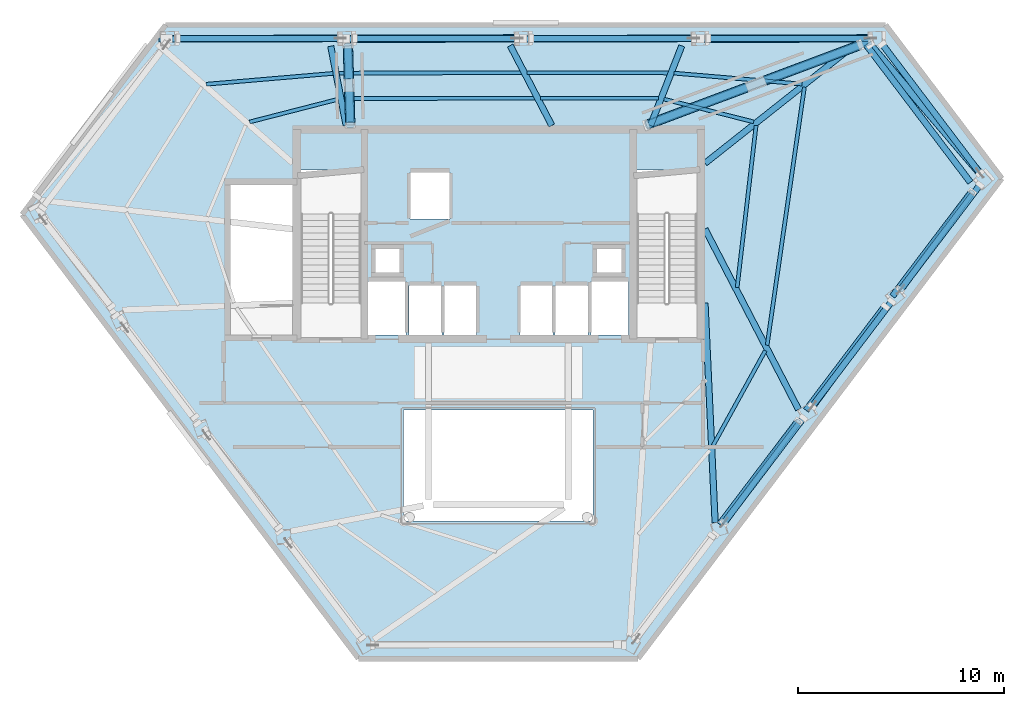
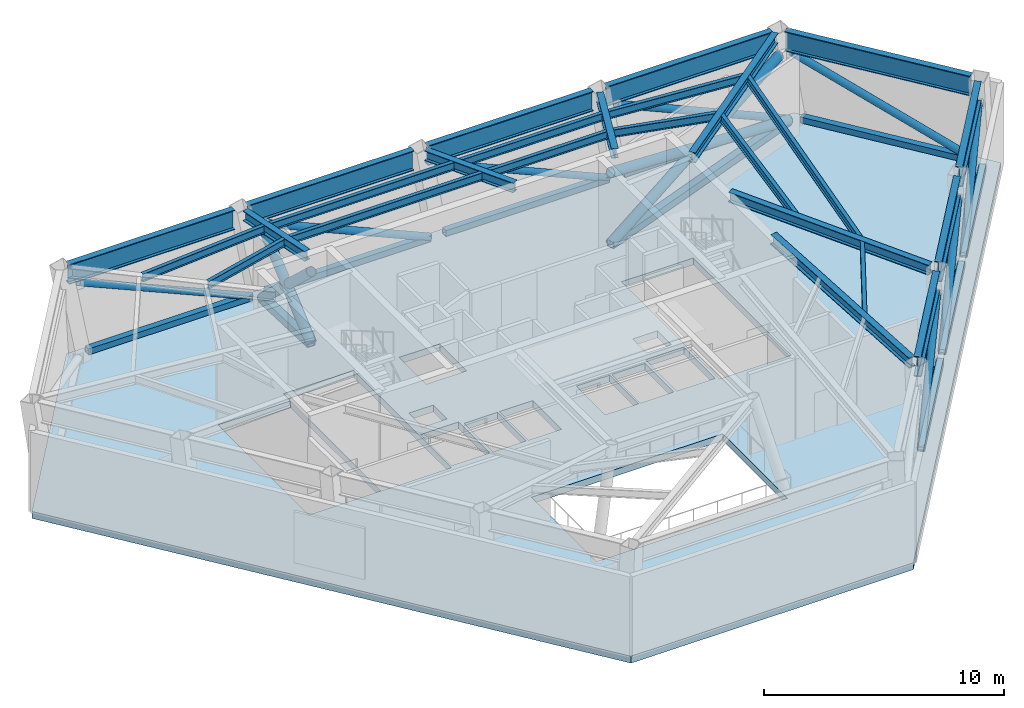
# One storey, part 2 of 10: 25 beams, 24 members, 1 slab.
"""IFC4 building model written with IfcOpenShell, lengths in metres."""

from ifc_helpers import new_model, si_unit, direction, frame, origin, origin_2d, place, context, subcontext, project, spatial, polyline, hollow_rectangle, hollow_circle, i_section, outline, extrude, material, layer, layer_set, material_profile, profile_set, type_object, element, save


model = new_model("IFC4")

# Units and contexts
model_context = context("Model", 3, precision=1e-05, world=origin(), true_north=direction((0.0, 1.0)))
body_context = subcontext(model_context, "Body", "Model", "MODEL_VIEW")
ifc_project = project(units=[si_unit("LENGTHUNIT", "METRE"), si_unit("AREAUNIT", "SQUARE_METRE"), si_unit("VOLUMEUNIT", "CUBIC_METRE"), si_unit("PLANEANGLEUNIT", "RADIAN"), si_unit("MASSUNIT", "GRAM", prefix="KILO")], contexts=[model_context])

# Site, building, storey
site_placement = place(None, origin())
site = spatial("IfcSite", under=ifc_project, at=site_placement, CompositionType="ELEMENT")
building_placement = place(site_placement, origin())
building = spatial("IfcBuilding", under=site, at=building_placement, Name="Zarrinselat Tower", CompositionType="ELEMENT")
storey_placement = place(building_placement, frame((0.0, 0.0, 194.47998046875)))
storey = spatial("IfcBuildingStorey", under=building, at=storey_placement, Name="L48", CompositionType="ELEMENT", Elevation=194.47998046875)

# Beams
ifc_material_1 = material(Name="Steel S355J2", Category="steel")
ifc_material_profile_1 = material_profile(ifc_material_1, i_section(OverallWidth=0.300048828125, OverallDepth=0.5, WebThickness=0.014404296875, FlangeThickness=0.028076171875, at=origin_2d()), Name="HEB 500")
ifc_profile_set_1 = profile_set([ifc_material_profile_1], Name="Steel S355J2")
beam_type_1 = type_object("IfcBeamType", Name="BM-HEB500", PredefinedType="BEAM", material=ifc_profile_set_1)
beam_1_placement = place(storey_placement, frame((48.449951171875, 41.800048828125, 4.89013671875), z_axis=(0.784106524743, 0.620626262621, 0.0), x_axis=(-0.620626262621, 0.784106524743, 0.0)))
element("IfcBeam", 1, at=beam_1_placement, inside=storey, type_object=beam_type_1, Name="L48 Radial Primary Girder RG01", PredefinedType="BEAM", context=body_context, shape_type="SweptSolid", body=[
    extrude(i_section(OverallWidth=0.300048828125, OverallDepth=0.5, WebThickness=0.014404296875, FlangeThickness=0.028076171875, at=origin_2d()), origin(), (0.0, 0.0, 1.0), 9.37841796875),
])
beam_2_placement = place(storey_placement, frame((45.800048828125, 43.639892578125, 4.89013671875), z_axis=(0.365319969666, 0.93088201173, 0.0), x_axis=(-0.93088201173, 0.365319969666, 0.0)))
element("IfcBeam", 2, at=beam_2_placement, inside=storey, type_object=beam_type_1, Name="L48 Radial Primary Girder RG02", PredefinedType="BEAM", context=body_context, shape_type="SweptSolid", body=[
    extrude(i_section(OverallWidth=0.300048828125, OverallDepth=0.5, WebThickness=0.014404296875, FlangeThickness=0.028076171875, at=origin_2d()), origin(), (0.0, 0.0, 1.0), 4.15869140625),
])
beam_3_placement = place(storey_placement, frame((38.978515625, 47.526611328125, 4.89013671875), z_axis=(0.461422920848, -0.887180301921, 0.0), x_axis=(0.887180301921, 0.461422920848, 0.0)))
element("IfcBeam", 3, at=beam_3_placement, inside=storey, type_object=beam_type_1, Name="L48 Radial Primary Girder RG03", PredefinedType="BEAM", context=body_context, shape_type="SweptSolid", body=[
    extrude(i_section(OverallWidth=0.300048828125, OverallDepth=0.5, WebThickness=0.014404296875, FlangeThickness=0.028076171875, at=origin_2d()), origin(), (0.0, 0.0, 1.0), 4.380859375),
])
beam_4_placement = place(storey_placement, frame((30.251708984375, 47.493408203125, 4.89013671875), z_axis=(0.190623283332, -0.981663263982, 0.0), x_axis=(0.981663263982, 0.190623283332, 0.0)))
element("IfcBeam", 4, at=beam_4_placement, inside=storey, type_object=beam_type_1, Name="L48 Radial Primary Girder RG04", PredefinedType="BEAM", context=body_context, shape_type="SweptSolid", body=[
    extrude(i_section(OverallWidth=0.300048828125, OverallDepth=0.5, WebThickness=0.014404296875, FlangeThickness=0.028076171875, at=origin_2d()), origin(), (0.0, 0.0, 1.0), 3.925537109375),
])
beam_5_placement = place(storey_placement, frame((48.449951171875, 35.0, 4.89013671875), z_axis=(0.045995323581, -0.998941655057, 0.0), x_axis=(0.998941655057, 0.045995323581, 0.0)))
element("IfcBeam", 5, at=beam_5_placement, inside=storey, type_object=beam_type_1, Name="L48 Radial Primary Girder RG12", PredefinedType="BEAM", context=body_context, shape_type="SweptSolid", body=[
    extrude(i_section(OverallWidth=0.300048828125, OverallDepth=0.5, WebThickness=0.014404296875, FlangeThickness=0.028076171875, at=origin_2d()), origin(), (0.0, 0.0, 1.0), 10.684814453125),
])
beam_6_placement = place(storey_placement, frame((48.449951171875, 38.60009765625, 4.89013671875), z_axis=(0.460256556545, -0.887785955148, 0.0), x_axis=(0.887785955148, 0.460256556545, 0.0)))
element("IfcBeam", 6, at=beam_6_placement, inside=storey, type_object=beam_type_1, Name="L48 Radial Primary Girder RG13", PredefinedType="BEAM", context=body_context, shape_type="SweptSolid", body=[
    extrude(i_section(OverallWidth=0.300048828125, OverallDepth=0.5, WebThickness=0.014404296875, FlangeThickness=0.028076171875, at=origin_2d()), origin(), (0.0, 0.0, 1.0), 9.876953125),
])
ifc_material_2 = material(Name="Steel S460M", Category="steel")
ifc_material_profile_2 = material_profile(ifc_material_2, i_section(OverallWidth=0.302001953125, OverallDepth=1.008056640625, WebThickness=0.02099609375, FlangeThickness=0.0400390625, at=origin_2d()), Name="HEM 1000")
ifc_profile_set_2 = profile_set([ifc_material_profile_2], Name="Steel S460M")
beam_type_2 = type_object("IfcBeamType", Name="BM-HEM1000", PredefinedType="BEAM", material=ifc_profile_set_2)
beam_7_placement = place(storey_placement, frame((47.785888671875, 47.839111328125, 4.635986328125), z_axis=(1.0, 0.0, 0.0), x_axis=(0.0, 1.0, 0.0)))
element("IfcBeam", 7, at=beam_7_placement, inside=storey, type_object=beam_type_2, Name="L48 Perimeter Spandrel Girder SP01", PredefinedType="BEAM", context=body_context, shape_type="SweptSolid", body=[
    extrude(i_section(OverallWidth=0.302001953125, OverallDepth=1.008056640625, WebThickness=0.02099609375, FlangeThickness=0.0400390625, at=origin_2d()), origin(), (0.0, 0.0, 1.0), 7.955810546875),
])
for number, where, z_axis, x_axis, name in (
    (8, (39.154296875, 47.839111328125, 4.635986328125), (1.0, 0.0, 0.0), (0.0, 1.0, 0.0), "L48 Perimeter Spandrel Girder SP02"),
    (9, (30.522705078125, 47.839111328125, 4.635986328125), (1.0, 0.0, 0.0), (0.0, 1.0, 0.0), "L48 Perimeter Spandrel Girder SP03"),
):
    element("IfcBeam", number, at=place(storey_placement, frame(where, z_axis=z_axis, x_axis=x_axis)), inside=storey, type_object=beam_type_2, Name=name, PredefinedType="BEAM", context=body_context, shape_type="SweptSolid", body=[
        extrude(i_section(OverallWidth=0.302001953125, OverallDepth=1.008056640625, WebThickness=0.02099609375, FlangeThickness=0.0400390625, at=origin_2d()), origin(), (0.0, 0.0, 1.0), 7.95556640625),
    ])
beam_8_placement = place(storey_placement, frame((21.890869140625, 47.839111328125, 4.635986328125), z_axis=(1.0, 0.0, 0.0), x_axis=(0.0, 1.0, 0.0)))
element("IfcBeam", 10, at=beam_8_placement, inside=storey, type_object=beam_type_2, Name="L48 Perimeter Spandrel Girder SP04", PredefinedType="BEAM", context=body_context, shape_type="SweptSolid", body=[
    extrude(i_section(OverallWidth=0.302001953125, OverallDepth=1.008056640625, WebThickness=0.02099609375, FlangeThickness=0.0400390625, at=origin_2d()), origin(), (0.0, 0.0, 1.0), 7.955810546875),
])
beam_9_placement = place(storey_placement, frame((49.161865234375, 24.244384765625, 4.635986328125), z_axis=(0.603856190838, 0.797093282362, 0.0), x_axis=(-0.797093282362, 0.603856190838, 0.0)))
element("IfcBeam", 11, at=beam_9_placement, inside=storey, type_object=beam_type_2, Name="L48 Perimeter Spandrel Girder SP12", PredefinedType="BEAM", context=body_context, shape_type="SweptSolid", body=[
    extrude(i_section(OverallWidth=0.302001953125, OverallDepth=1.008056640625, WebThickness=0.02099609375, FlangeThickness=0.0400390625, at=origin_2d()), origin(), (0.0, 0.0, 1.0), 6.279296875),
])
for number, where, z_axis, x_axis, name in (
    (12, (53.36181640625, 29.788330078125, 4.635986328125), (0.603862179211, 0.797088745698, 0.0), (-0.797088745698, 0.603862179211, 0.0), "L48 Perimeter Spandrel Girder SP13"),
    (13, (57.56201171875, 35.33251953125, 4.635986328125), (0.603862179211, 0.797088745698, 0.0), (-0.797088745698, 0.603862179211, 0.0), "L48 Perimeter Spandrel Girder SP14"),
):
    element("IfcBeam", number, at=place(storey_placement, frame(where, z_axis=z_axis, x_axis=x_axis)), inside=storey, type_object=beam_type_2, Name=name, PredefinedType="BEAM", context=body_context, shape_type="SweptSolid", body=[
        extrude(i_section(OverallWidth=0.302001953125, OverallDepth=1.008056640625, WebThickness=0.02099609375, FlangeThickness=0.0400390625, at=origin_2d()), origin(), (0.0, 0.0, 1.0), 6.279541015625),
    ])
beam_10_placement = place(storey_placement, frame((56.28369140625, 47.569580078125, 4.635986328125), z_axis=(0.60385432913, -0.797094692738, 0.0), x_axis=(0.797094692738, 0.60385432913, 0.0)))
element("IfcBeam", 14, at=beam_10_placement, inside=storey, type_object=beam_type_2, Name="L48 Perimeter Spandrel Girder SP15", PredefinedType="BEAM", context=body_context, shape_type="SweptSolid", body=[
    extrude(i_section(OverallWidth=0.302001953125, OverallDepth=1.008056640625, WebThickness=0.02099609375, FlangeThickness=0.0400390625, at=origin_2d()), origin(), (0.0, 0.0, 1.0), 8.396484375),
])
ifc_material_3 = material(Name="Steel S355J2", Category="steel")
ifc_material_profile_3 = material_profile(ifc_material_3, i_section(OverallWidth=0.179931640625, OverallDepth=0.39990234375, WebThickness=0.008544921875, FlangeThickness=0.013427734375, at=origin_2d()), Name="IPE 400")
ifc_profile_set_3 = profile_set([ifc_material_profile_3], Name="Steel S355J2")
beam_type_3 = type_object("IfcBeamType", Name="BM-IPE400", PredefinedType="JOIST", material=ifc_profile_set_3)
beam_11_placement = place(storey_placement, frame((48.841796875, 28.078125, 4.93994140625), z_axis=(0.48255757414, 0.875864251834, 0.0), x_axis=(-0.875864251834, 0.48255757414, 0.0)))
element("IfcBeam", 15, at=beam_11_placement, inside=storey, type_object=beam_type_3, Name="L48 Composite Floor Joist 4-1", PredefinedType="JOIST", context=body_context, shape_type="SweptSolid", body=[
    extrude(i_section(OverallWidth=0.179931640625, OverallDepth=0.39990234375, WebThickness=0.008544921875, FlangeThickness=0.013427734375, at=origin_2d()), origin(), (0.0, 0.0, 1.0), 5.265625),
])
beam_12_placement = place(storey_placement, frame((51.47021484375, 32.951416015625, 4.93994140625), z_axis=(0.14297899183, 0.98972572357, 0.0), x_axis=(-0.98972572357, 0.14297899183, 0.0)))
element("IfcBeam", 16, at=beam_12_placement, inside=storey, type_object=beam_type_3, Name="L48 Composite Floor Joist 5-1", PredefinedType="JOIST", context=body_context, shape_type="SweptSolid", body=[
    extrude(i_section(OverallWidth=0.179931640625, OverallDepth=0.39990234375, WebThickness=0.008544921875, FlangeThickness=0.013427734375, at=origin_2d()), origin(), (0.0, 0.0, 1.0), 12.681884765625),
])
beam_13_placement = place(storey_placement, frame((50.01171875, 35.7578125, 4.93994140625), z_axis=(0.116227200922, 0.993222652664, 0.0), x_axis=(-0.993222652664, 0.116227200922, 0.0)))
element("IfcBeam", 17, at=beam_13_placement, inside=storey, type_object=beam_type_3, Name="L48 Composite Floor Joist 5-2", PredefinedType="JOIST", context=body_context, shape_type="SweptSolid", body=[
    extrude(i_section(OverallWidth=0.179931640625, OverallDepth=0.39990234375, WebThickness=0.008544921875, FlangeThickness=0.013427734375, at=origin_2d()), origin(), (0.0, 0.0, 1.0), 7.935791015625),
])
beam_14_placement = place(storey_placement, frame((46.942138671875, 46.18310546875, 4.93994140625), z_axis=(0.996394210548, -0.084844429324, 0.0), x_axis=(0.084844429324, 0.996394210548, 0.0)))
element("IfcBeam", 18, at=beam_14_placement, inside=storey, type_object=beam_type_3, Name="L48 Composite Floor Joist 6-1", PredefinedType="JOIST", context=body_context, shape_type="SweptSolid", body=[
    extrude(i_section(OverallWidth=0.179931640625, OverallDepth=0.39990234375, WebThickness=0.008544921875, FlangeThickness=0.013427734375, at=origin_2d()), origin(), (0.0, 0.0, 1.0), 6.244140625),
])
beam_15_placement = place(storey_placement, frame((46.452392578125, 44.921875, 4.93994140625), z_axis=(0.969200358805, -0.246273556219, 0.0), x_axis=(0.246273556219, 0.969200358805, 0.0)))
element("IfcBeam", 19, at=beam_15_placement, inside=storey, type_object=beam_type_3, Name="L48 Composite Floor Joist 6-2", PredefinedType="JOIST", context=body_context, shape_type="SweptSolid", body=[
    extrude(i_section(OverallWidth=0.179931640625, OverallDepth=0.39990234375, WebThickness=0.008544921875, FlangeThickness=0.013427734375, at=origin_2d()), origin(), (0.0, 0.0, 1.0), 4.500732421875),
])
beam_16_placement = place(storey_placement, frame((39.805908203125, 46.205078125, 4.93994140625), z_axis=(0.999998985761, -0.001424246375, 0.0), x_axis=(0.001424246375, 0.999998985761, 0.0)))
element("IfcBeam", 20, at=beam_16_placement, inside=storey, type_object=beam_type_3, Name="L48 Composite Floor Joist 7-1", PredefinedType="JOIST", context=body_context, shape_type="SweptSolid", body=[
    extrude(i_section(OverallWidth=0.179931640625, OverallDepth=0.39990234375, WebThickness=0.008544921875, FlangeThickness=0.013427734375, at=origin_2d()), origin(), (0.0, 0.0, 1.0), 6.856689453125),
])
beam_17_placement = place(storey_placement, frame((40.45263671875, 44.96142578125, 4.93994140625), z_axis=(0.999999598849, -0.000895713012, 0.0), x_axis=(0.000895713012, 0.999999598849, 0.0)))
element("IfcBeam", 21, at=beam_17_placement, inside=storey, type_object=beam_type_3, Name="L48 Composite Floor Joist 7-2", PredefinedType="JOIST", context=body_context, shape_type="SweptSolid", body=[
    extrude(i_section(OverallWidth=0.179931640625, OverallDepth=0.39990234375, WebThickness=0.008544921875, FlangeThickness=0.013427734375, at=origin_2d()), origin(), (0.0, 0.0, 1.0), 5.723876953125),
])
beam_18_placement = place(storey_placement, frame((30.64599609375, 46.18359375, 4.93994140625), z_axis=(0.9999971393, 0.002391943009, 0.0), x_axis=(-0.002391943009, 0.9999971393, 0.0)))
element("IfcBeam", 22, at=beam_18_placement, inside=storey, type_object=beam_type_3, Name="L48 Composite Floor Joist 8-1", PredefinedType="JOIST", context=body_context, shape_type="SweptSolid", body=[
    extrude(i_section(OverallWidth=0.179931640625, OverallDepth=0.39990234375, WebThickness=0.008544921875, FlangeThickness=0.013427734375, at=origin_2d()), origin(), (0.0, 0.0, 1.0), 8.8798828125),
])
beam_19_placement = place(storey_placement, frame((30.885498046875, 44.950439453125, 4.93994140625), z_axis=(0.99999933105, 0.001156676408, 0.0), x_axis=(-0.001156676408, 0.99999933105, 0.0)))
element("IfcBeam", 23, at=beam_19_placement, inside=storey, type_object=beam_type_3, Name="L48 Composite Floor Joist 8-2", PredefinedType="JOIST", context=body_context, shape_type="SweptSolid", body=[
    extrude(i_section(OverallWidth=0.179931640625, OverallDepth=0.39990234375, WebThickness=0.008544921875, FlangeThickness=0.013427734375, at=origin_2d()), origin(), (0.0, 0.0, 1.0), 9.287109375),
])
beam_20_placement = place(storey_placement, frame((24.1982421875, 45.64404296875, 4.93994140625), z_axis=(0.996365606934, 0.085179676679, 0.0), x_axis=(-0.085179676679, 0.996365606934, 0.0)))
element("IfcBeam", 24, at=beam_20_placement, inside=storey, type_object=beam_type_3, Name="L48 Composite Floor Joist 9-1", PredefinedType="JOIST", context=body_context, shape_type="SweptSolid", body=[
    extrude(i_section(OverallWidth=0.179931640625, OverallDepth=0.39990234375, WebThickness=0.008544921875, FlangeThickness=0.013427734375, at=origin_2d()), origin(), (0.0, 0.0, 1.0), 6.19091796875),
])
beam_21_placement = place(storey_placement, frame((26.303955078125, 43.80908203125, 4.93994140625), z_axis=(0.96855231684, 0.248809986824, 0.0), x_axis=(-0.248809986824, 0.96855231684, 0.0)))
element("IfcBeam", 25, at=beam_21_placement, inside=storey, type_object=beam_type_3, Name="L48 Composite Floor Joist 9-2", PredefinedType="JOIST", context=body_context, shape_type="SweptSolid", body=[
    extrude(i_section(OverallWidth=0.179931640625, OverallDepth=0.39990234375, WebThickness=0.008544921875, FlangeThickness=0.013427734375, at=origin_2d()), origin(), (0.0, 0.0, 1.0), 4.446044921875),
])

# Members
ifc_material_4 = material(Name="Steel S355J2", Category="steel")
ifc_material_profile_4 = material_profile(ifc_material_4, hollow_circle(Radius=0.177734375, WallThickness=0.01416015625, at=origin_2d()), Name="CHS 355.6x14.2")
ifc_profile_set_4 = profile_set([ifc_material_profile_4], Name="Steel S355J2")
member_type_1 = type_object("IfcMemberType", Name="MEM-BELT-BR1", PredefinedType="BRACE", material=ifc_profile_set_4)
member_1_placement = place(storey_placement, frame((56.489501953125, 47.875244140625, 0.35009765625), z_axis=(-0.914612485529, -0.003044087795, 0.404320089588), x_axis=(0.003328263043, -0.999994461317, 0.0)))
element("IfcMember", 26, at=member_1_placement, inside=storey, type_object=member_type_1, Name="L48 Perimeter Belt Truss Diagonal 1", PredefinedType="BRACE", context=body_context, shape_type="SweptSolid", body=[
    extrude(hollow_circle(Radius=0.177734375, WallThickness=0.01416015625, at=origin_2d()), origin(), (0.0, 0.0, 1.0), 8.982666015625),
])
member_2_placement = place(storey_placement, frame((39.304931640625, 47.875244140625, 0.35009765625), z_axis=(-0.9156868838, -0.003025724472, 0.401881046863), x_axis=(0.003304304132, -0.999994540772, 0.0)))
element("IfcMember", 27, at=member_2_placement, inside=storey, type_object=member_type_1, Name="L48 Perimeter Belt Truss Diagonal 3", PredefinedType="BRACE", context=body_context, shape_type="SweptSolid", body=[
    extrude(hollow_circle(Radius=0.177734375, WallThickness=0.01416015625, at=origin_2d()), origin(), (0.0, 0.0, 1.0), 9.037109375),
])
member_3_placement = place(storey_placement, frame((53.66845703125, 29.990234375, 0.35009765625), z_axis=(0.505899568419, 0.689726923986, 0.51801775742), x_axis=(-0.806349339157, 0.591439551637, 0.0)))
element("IfcMember", 28, at=member_3_placement, inside=storey, type_object=member_type_1, Name="L48 Perimeter Belt Truss Diagonal 13", PredefinedType="BRACE", context=body_context, shape_type="SweptSolid", body=[
    extrude(hollow_circle(Radius=0.177734375, WallThickness=0.01416015625, at=origin_2d()), origin(), (0.0, 0.0, 1.0), 7.010986328125),
])
member_4_placement = place(storey_placement, frame((61.81591796875, 41.322021484375, 0.35009765625), z_axis=(-0.593941261649, 0.694600484979, 0.405911251357), x_axis=(-0.760029527617, -0.649888542098, 0.0)))
element("IfcMember", 29, at=member_4_placement, inside=storey, type_object=member_type_1, Name="L48 Perimeter Belt Truss Diagonal 15", PredefinedType="BRACE", context=body_context, shape_type="SweptSolid", body=[
    extrude(hollow_circle(Radius=0.177734375, WallThickness=0.01416015625, at=origin_2d()), origin(), (0.0, 0.0, 1.0), 8.947265625),
])
ifc_material_5 = material(Name="Steel S355J2", Category="steel")
ifc_material_profile_5 = material_profile(ifc_material_5, hollow_circle(Radius=0.161865234375, WallThickness=0.012451171875, at=origin_2d()), Name="CHS 323.9x12.5")
ifc_profile_set_5 = profile_set([ifc_material_profile_5], Name="Steel S355J2")
member_type_2 = type_object("IfcMemberType", Name="MEM-BELT-BR2", PredefinedType="BRACE", material=ifc_profile_set_5)
member_5_placement = place(storey_placement, frame((47.897216796875, 47.875244140625, 0.35009765625), z_axis=(-0.915152122483, -0.00303488105, 0.40309723667), x_axis=(0.003316240314, -0.99999450126, 0.0)))
element("IfcMember", 30, at=member_5_placement, inside=storey, type_object=member_type_2, Name="L48 Perimeter Belt Truss Diagonal 2", PredefinedType="BRACE", context=body_context, shape_type="SweptSolid", body=[
    extrude(hollow_circle(Radius=0.161865234375, WallThickness=0.012451171875, at=origin_2d()), origin(), (0.0, 0.0, 1.0), 9.009765625),
])
member_6_placement = place(storey_placement, frame((30.712890625, 47.875244140625, 0.35009765625), z_axis=(-0.91622114926, -0.003016543263, 0.400661585525), x_axis=(0.003292356781, -0.999994580179, 0.0)))
element("IfcMember", 31, at=member_6_placement, inside=storey, type_object=member_type_2, Name="L48 Perimeter Belt Truss Diagonal 4", PredefinedType="BRACE", context=body_context, shape_type="SweptSolid", body=[
    extrude(hollow_circle(Radius=0.161865234375, WallThickness=0.012451171875, at=origin_2d()), origin(), (0.0, 0.0, 1.0), 9.064697265625),
])
member_7_placement = place(storey_placement, frame((49.376220703125, 24.324462890625, 0.35009765625), z_axis=(0.508671712892, 0.693062633523, 0.510800621101), x_axis=(-0.806168748749, 0.591685683907, 0.0)))
element("IfcMember", 32, at=member_7_placement, inside=storey, type_object=member_type_2, Name="L48 Perimeter Belt Truss Diagonal 12", PredefinedType="BRACE", context=body_context, shape_type="SweptSolid", body=[
    extrude(hollow_circle(Radius=0.161865234375, WallThickness=0.012451171875, at=origin_2d()), origin(), (0.0, 0.0, 1.0), 7.110107421875),
])
member_8_placement = place(storey_placement, frame((57.960693359375, 35.656005859375, 0.35009765625), z_axis=(0.503022947981, 0.686226151967, 0.525415628013), x_axis=(-0.806522435244, 0.591203485653, 0.0)))
element("IfcMember", 33, at=member_8_placement, inside=storey, type_object=member_type_2, Name="L48 Perimeter Belt Truss Diagonal 14", PredefinedType="BRACE", context=body_context, shape_type="SweptSolid", body=[
    extrude(hollow_circle(Radius=0.161865234375, WallThickness=0.012451171875, at=origin_2d()), origin(), (0.0, 0.0, 1.0), 6.912353515625),
])
ifc_material_6 = material(Name="Steel S460M", Category="steel")
ifc_material_profile_6 = material_profile(ifc_material_6, hollow_rectangle(XDim=0.300048828125, YDim=0.300048828125, WallThickness=0.01611328125, at=origin_2d()), Name="SHS 300x300x16")
ifc_profile_set_6 = profile_set([ifc_material_profile_6], Name="Steel S460M")
member_type_3 = type_object("IfcMemberType", Name="MEM-BELT-CHORD", PredefinedType="CHORD", material=ifc_profile_set_6)
member_9_placement = place(storey_placement, frame((56.489501953125, 47.875244140625, 0.35009765625), z_axis=(-1.0, 0.0, 0.0), x_axis=(0.0, -1.0, 0.0)))
element("IfcMember", 34, at=member_9_placement, inside=storey, type_object=member_type_3, Name="L48 Perimeter Belt Truss Chord 1", PredefinedType="CHORD", context=body_context, shape_type="SweptSolid", body=[
    extrude(hollow_rectangle(XDim=0.300048828125, YDim=0.300048828125, WallThickness=0.01611328125, at=origin_2d()), origin(), (0.0, 0.0, 1.0), 7.868408203125),
])
for number, where, z_axis, x_axis, name in (
    (35, (47.897216796875, 47.875244140625, 0.35009765625), (-1.0, 0.0, 0.0), (0.0, -1.0, 0.0), "L48 Perimeter Belt Truss Chord 2"),
    (36, (39.304931640625, 47.875244140625, 0.35009765625), (-1.0, 0.0, 0.0), (0.0, -1.0, 0.0), "L48 Perimeter Belt Truss Chord 3"),
):
    element("IfcMember", number, at=place(storey_placement, frame(where, z_axis=z_axis, x_axis=x_axis)), inside=storey, type_object=member_type_3, Name=name, PredefinedType="CHORD", context=body_context, shape_type="SweptSolid", body=[
        extrude(hollow_rectangle(XDim=0.300048828125, YDim=0.300048828125, WallThickness=0.01611328125, at=origin_2d()), origin(), (0.0, 0.0, 1.0), 7.8681640625),
    ])
member_10_placement = place(storey_placement, frame((30.712890625, 47.875244140625, 0.35009765625), z_axis=(-1.0, 0.0, 0.0), x_axis=(0.0, -1.0, 0.0)))
element("IfcMember", 37, at=member_10_placement, inside=storey, type_object=member_type_3, Name="L48 Perimeter Belt Truss Chord 4", PredefinedType="CHORD", context=body_context, shape_type="SweptSolid", body=[
    extrude(hollow_rectangle(XDim=0.300048828125, YDim=0.300048828125, WallThickness=0.01611328125, at=origin_2d()), origin(), (0.0, 0.0, 1.0), 7.868408203125),
])
member_11_placement = place(storey_placement, frame((49.376220703125, 24.324462890625, 0.35009765625), z_axis=(0.603878303629, 0.79707652983, 0.0), x_axis=(-0.79707652983, 0.603878303629, 0.0)))
element("IfcMember", 38, at=member_11_placement, inside=storey, type_object=member_type_3, Name="L48 Perimeter Belt Truss Chord 12", PredefinedType="CHORD", context=body_context, shape_type="SweptSolid", body=[
    extrude(hollow_rectangle(XDim=0.300048828125, YDim=0.300048828125, WallThickness=0.01611328125, at=origin_2d()), origin(), (0.0, 0.0, 1.0), 6.384033203125),
])
for number, where, z_axis, x_axis, name in (
    (39, (53.66845703125, 29.990234375, 0.35009765625), (0.603859896765, 0.797090474839, 0.0), (-0.797090474839, 0.603859896765, 0.0), "L48 Perimeter Belt Truss Chord 13"),
    (40, (57.960693359375, 35.656005859375, 0.35009765625), (0.603859896765, 0.797090474839, 0.0), (-0.797090474839, 0.603859896765, 0.0), "L48 Perimeter Belt Truss Chord 14"),
):
    element("IfcMember", number, at=place(storey_placement, frame(where, z_axis=z_axis, x_axis=x_axis)), inside=storey, type_object=member_type_3, Name=name, PredefinedType="CHORD", context=body_context, shape_type="SweptSolid", body=[
        extrude(hollow_rectangle(XDim=0.300048828125, YDim=0.300048828125, WallThickness=0.01611328125, at=origin_2d()), origin(), (0.0, 0.0, 1.0), 6.38427734375),
    ])
member_12_placement = place(storey_placement, frame((61.81591796875, 41.322021484375, 0.35009765625), z_axis=(-0.603849912946, 0.797098038283, 0.0), x_axis=(-0.797098038283, -0.603849912946, 0.0)))
element("IfcMember", 41, at=member_12_placement, inside=storey, type_object=member_type_3, Name="L48 Perimeter Belt Truss Chord 15", PredefinedType="CHORD", context=body_context, shape_type="SweptSolid", body=[
    extrude(hollow_rectangle(XDim=0.300048828125, YDim=0.300048828125, WallThickness=0.01611328125, at=origin_2d()), origin(), (0.0, 0.0, 1.0), 7.859375),
])
ifc_material_7 = material(Name="Steel S460M", Category="steel")
ifc_material_profile_7 = material_profile(ifc_material_7, hollow_circle(Radius=0.228515625, WallThickness=0.01611328125, at=origin_2d()), Name="CHS 457x16")
ifc_profile_set_7 = profile_set([ifc_material_profile_7], Name="Steel S460M")
member_type_4 = type_object("IfcMemberType", Name="MEM-OUTRIGGER-BR1", PredefinedType="BRACE", material=ifc_profile_set_7)
member_13_placement = place(storey_placement, frame((31.199951171875, 43.662109375, 0.35009765625), z_axis=(-0.021600575618, 0.726711673311, 0.686602912174), x_axis=(-0.99955854268, -0.029710600062, 0.0)))
element("IfcMember", 42, at=member_13_placement, inside=storey, type_object=member_type_4, Name="L48 Outrigger Truss Primary Diagonal NW1", PredefinedType="BRACE", context=body_context, shape_type="SweptSolid", body=[
    extrude(hollow_circle(Radius=0.228515625, WallThickness=0.01611328125, at=origin_2d()), origin(), (0.0, 0.0, 1.0), 5.28955078125),
])
member_14_placement = place(storey_placement, frame((31.08544921875, 47.513427734375, 0.35009765625), z_axis=(0.021703636406, -0.727376076178, 0.685895761739), x_axis=(0.999555136155, 0.029824985937, 0.0)))
element("IfcMember", 43, at=member_14_placement, inside=storey, type_object=member_type_4, Name="L48 Outrigger Truss Split Diagonal NW2A", PredefinedType="BRACE", context=body_context, shape_type="SweptSolid", body=[
    extrude(hollow_circle(Radius=0.228515625, WallThickness=0.01611328125, at=origin_2d()), origin(), (0.0, 0.0, 1.0), 2.4072265625),
])
member_15_placement = place(storey_placement, frame((31.148193359375, 45.4091796875, 2.33447265625), z_axis=(0.021548812589, -0.727374070235, 0.685902770534), x_axis=(0.999561453851, 0.029612496956, 0.0)))
element("IfcMember", 44, at=member_15_placement, inside=storey, type_object=member_type_4, Name="L48 Outrigger Truss Split Diagonal NW2B", PredefinedType="BRACE", context=body_context, shape_type="SweptSolid", body=[
    extrude(hollow_circle(Radius=0.228515625, WallThickness=0.01611328125, at=origin_2d()), origin(), (0.0, 0.0, 1.0), 2.40185546875),
])
member_16_placement = place(storey_placement, frame((45.60009765625, 43.662109375, 0.35009765625), z_axis=(0.890019813266, 0.333279031516, 0.31111062204), x_axis=(-0.350682083741, 0.936494568133, 0.0)))
element("IfcMember", 45, at=member_16_placement, inside=storey, type_object=member_type_4, Name="L48 Outrigger Truss Primary Diagonal NE1", PredefinedType="BRACE", context=body_context, shape_type="SweptSolid", body=[
    extrude(hollow_circle(Radius=0.228515625, WallThickness=0.01611328125, at=origin_2d()), origin(), (0.0, 0.0, 1.0), 11.673828125),
])
member_17_placement = place(storey_placement, frame((56.512451171875, 47.748291015625, 0.35009765625), z_axis=(-0.894075970739, -0.334787628703, 0.297565794766), x_axis=(0.350672638665, -0.936498104905, 0.0)))
element("IfcMember", 46, at=member_17_placement, inside=storey, type_object=member_type_4, Name="L48 Outrigger Truss Split Diagonal NE2A", PredefinedType="BRACE", context=body_context, shape_type="SweptSolid", body=[
    extrude(hollow_circle(Radius=0.228515625, WallThickness=0.01611328125, at=origin_2d()), origin(), (0.0, 0.0, 1.0), 5.84423828125),
])
member_18_placement = place(storey_placement, frame((50.5576171875, 45.518310546875, 2.33203125), z_axis=(-0.89408659482, -0.334765112795, 0.29755920456), x_axis=(0.350648300002, -0.936507218181, 0.0)))
element("IfcMember", 47, at=member_18_placement, inside=storey, type_object=member_type_4, Name="L48 Outrigger Truss Split Diagonal NE2B", PredefinedType="BRACE", context=body_context, shape_type="SweptSolid", body=[
    extrude(hollow_circle(Radius=0.228515625, WallThickness=0.01611328125, at=origin_2d()), origin(), (0.0, 0.0, 1.0), 5.544677734375),
])
ifc_material_8 = material(Name="Steel S460M", Category="steel")
ifc_material_profile_8 = material_profile(ifc_material_8, hollow_rectangle(XDim=0.35009765625, YDim=0.35009765625, WallThickness=0.01611328125, at=origin_2d()), Name="SHS 350x350x16")
ifc_profile_set_8 = profile_set([ifc_material_profile_8], Name="Steel S460M")
member_type_5 = type_object("IfcMemberType", Name="MEM-OUTRIGGER-CHORD", PredefinedType="CHORD", material=ifc_profile_set_8)
member_19_placement = place(storey_placement, frame((31.199951171875, 43.662109375, 0.35009765625), z_axis=(-0.029717455527, 0.999558338886, 0.0), x_axis=(-0.999558338886, -0.029717455527, 0.0)))
element("IfcMember", 48, at=member_19_placement, inside=storey, type_object=member_type_5, Name="L48 Outrigger Truss Bottom Chord NW", PredefinedType="CHORD", context=body_context, shape_type="SweptSolid", body=[
    extrude(hollow_rectangle(XDim=0.35009765625, YDim=0.35009765625, WallThickness=0.01611328125, at=origin_2d()), origin(), (0.0, 0.0, 1.0), 3.85302734375),
])
member_20_placement = place(storey_placement, frame((45.60009765625, 43.662109375, 0.35009765625), z_axis=(0.936496974503, 0.350675657477, 0.0), x_axis=(-0.350675657477, 0.936496974503, 0.0)))
element("IfcMember", 49, at=member_20_placement, inside=storey, type_object=member_type_5, Name="L48 Outrigger Truss Bottom Chord NE", PredefinedType="CHORD", context=body_context, shape_type="SweptSolid", body=[
    extrude(hollow_rectangle(XDim=0.35009765625, YDim=0.35009765625, WallThickness=0.01611328125, at=origin_2d()), origin(), (0.0, 0.0, 1.0), 11.65234375),
])

# Slab
ifc_material_9 = material(Name="Concrete C50/60", Category="concrete")
ifc_layer = layer(ifc_material_9, 0.35009765625)
ifc_layer_set = layer_set([ifc_layer], Name="Concrete C50/60")
slab_type = type_object("IfcSlabType", Name="SLB-FLOOR-350-SL-TR350", PredefinedType="FLOOR", material=ifc_layer_set)
slab_placement = place(storey_placement, frame((0.0, 0.0, -0.35009765625)))
element("IfcSlab", 50, at=slab_placement, inside=storey, type_object=slab_type, Name="L48 Primary Structural Slab", PredefinedType="FLOOR", context=body_context, shape_type="SweptSolid", body=[
    extrude(outline(polyline([(57.230712890625, 48.52783203125), (22.2275390625, 48.52783203125), (15.244384765625, 39.31005859375), (31.603759765625, 17.7158203125), (45.1962890625, 17.7158203125), (62.884765625, 41.064453125), (57.230712890625, 48.52783203125)]), holes=[polyline([(35.64990234375, 33.449951171875), (34.050048828125, 33.449951171875), (34.050048828125, 35.85009765625), (35.64990234375, 35.85009765625), (35.64990234375, 33.449951171875)]), polyline([(35.75, 33.449951171875), (35.75, 35.85009765625), (37.35009765625, 35.85009765625), (37.35009765625, 33.449951171875), (35.75, 33.449951171875)]), polyline([(32.06005859375, 33.449951171875), (32.06005859375, 36.050048828125), (33.89990234375, 36.050048828125), (33.89990234375, 33.449951171875), (32.06005859375, 33.449951171875)]), polyline([(33.60009765625, 36.47998046875), (32.419921875, 36.47998046875), (32.419921875, 37.639892578125), (33.60009765625, 37.639892578125), (33.60009765625, 36.47998046875)]), polyline([(28.594970703125, 33.324951171875), (25.114990234375, 33.324951171875), (25.114990234375, 40.875), (28.594970703125, 40.875), (28.594970703125, 33.324951171875)]), polyline([(31.985107421875, 33.324951171875), (28.60498046875, 33.324951171875), (28.60498046875, 41.47509765625), (31.985107421875, 41.47509765625), (31.985107421875, 33.324951171875)]), polyline([(36.050048828125, 39.10009765625), (34.10009765625, 39.10009765625), (34.10009765625, 41.35009765625), (36.050048828125, 41.35009765625), (36.050048828125, 39.10009765625)]), polyline([(33.800048828125, 24.39990234375), (33.800048828125, 29.800048828125), (43.0, 29.800048828125), (43.0, 24.39990234375), (33.800048828125, 24.39990234375)]), polyline([(39.449951171875, 33.449951171875), (39.449951171875, 35.85009765625), (41.050048828125, 35.85009765625), (41.050048828125, 33.449951171875), (39.449951171875, 33.449951171875)]), polyline([(41.14990234375, 33.449951171875), (41.14990234375, 35.85009765625), (42.75, 35.85009765625), (42.75, 33.449951171875), (41.14990234375, 33.449951171875)]), polyline([(42.89990234375, 33.449951171875), (42.89990234375, 36.050048828125), (44.739990234375, 36.050048828125), (44.739990234375, 33.449951171875), (42.89990234375, 33.449951171875)]), polyline([(43.199951171875, 36.47998046875), (43.199951171875, 37.639892578125), (44.3798828125, 37.639892578125), (44.3798828125, 36.47998046875), (43.199951171875, 36.47998046875)]), polyline([(48.324951171875, 33.324951171875), (44.875, 33.324951171875), (44.875, 41.47509765625), (48.324951171875, 41.47509765625), (48.324951171875, 33.324951171875)])]), origin(), (0.0, 0.0, 1.0), 0.35009765625),
])

save(model, "model.ifc")
